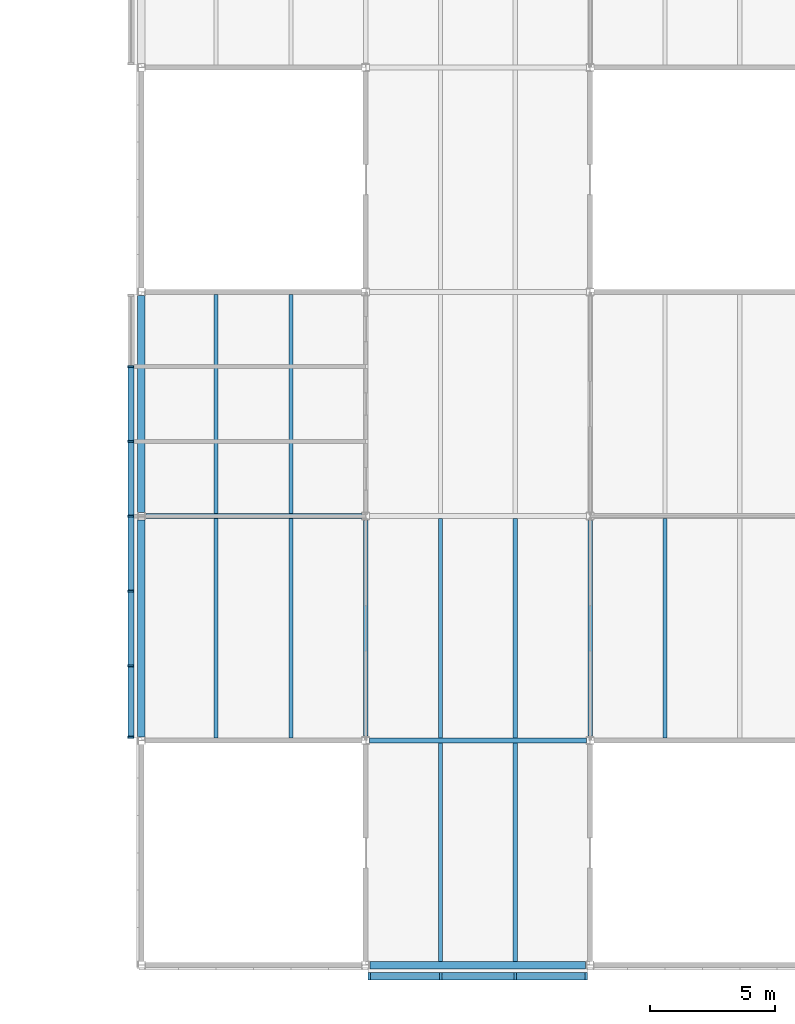
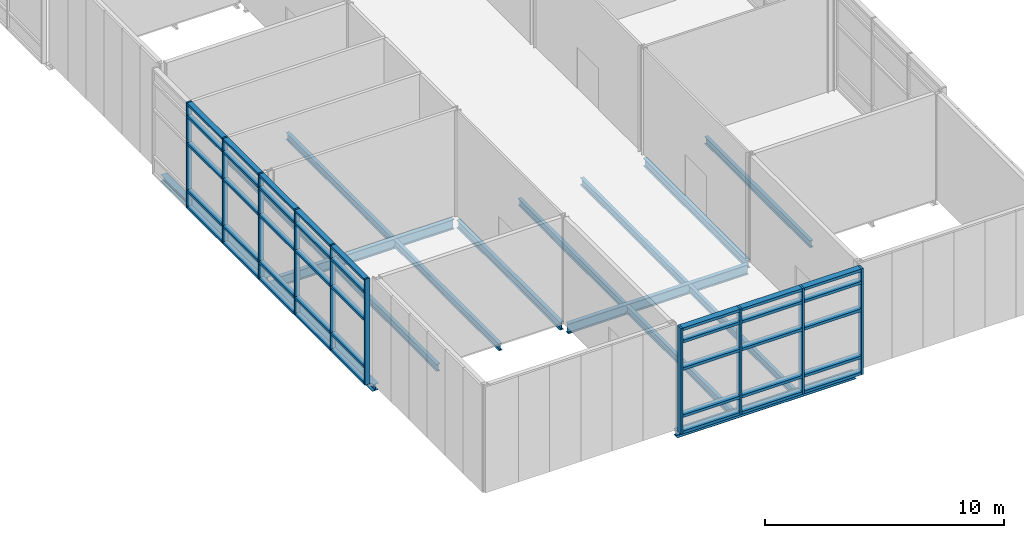
# One storey, part 9 of 46: 50 members, 16 beams, 2 elements without a shape of their own.
"""IFC4 building model written with IfcOpenShell, lengths in metres."""

import ifcopenshell
import ifcopenshell.guid

model = None  # the IFC model being written
_history = None  # IfcOwnerHistory: only IFC2X3 demands one
_inside = {}  # id of a spatial element -> (the spatial element, [elements in it])
_under = {}  # id of a project, library or spatial element -> (it, [spatial elements below it])
_declared = {}  # id of a project -> (the project, [libraries it declares])
_typed = {}  # id of a type object -> (the type object, [elements of that type])
_made_of = {}  # id of a material, layer set ... -> (it, [elements and type objects made of it])


def new_model(schema):
    """Start an empty IFC model of exactly this schema.

    Asked for "IFC4X3", IfcOpenShell would pick the latest addendum, in which some entities
    have other attributes; the version numbers below select the first issue.
    IFC2X3 requires an IfcOwnerHistory on every rooted entity: one is made here for all.
    """
    global model, _history
    if schema == "IFC4X3":
        model = ifcopenshell.file(schema_version=(4, 3, 0, 0))
    else:
        model = ifcopenshell.file(schema=schema)
    _inside.clear()
    _under.clear()
    _declared.clear()
    _typed.clear()
    _made_of.clear()
    _history = None
    if model.schema == "IFC2X3":
        org = make("IfcOrganization", Name="unknown")
        user = make(
            "IfcPersonAndOrganization",
            ThePerson=make("IfcPerson", FamilyName="unknown"),
            TheOrganization=org,
        )
        app = make(
            "IfcApplication",
            ApplicationDeveloper=org,
            Version="unknown",
            ApplicationFullName="unknown",
            ApplicationIdentifier="unknown",
        )
        _history = make(
            "IfcOwnerHistory",
            OwningUser=user,
            OwningApplication=app,
            ChangeAction="ADDED",
            CreationDate=0,
        )
    return model


def make(cls, **values):
    """One entity of the class cls with the attributes given. An attribute that is None is left unset."""
    return model.create_entity(
        cls, **{name: value for name, value in values.items() if value is not None}
    )


def rooted(cls, **values):
    """An entity with a GlobalId (a new one), such as an element, a storey or a relation."""
    return make(cls, GlobalId=ifcopenshell.guid.new(), OwnerHistory=_history, **values)


def si_unit(unit_type, name, prefix=None):
    """IfcSIUnit, for example si_unit("LENGTHUNIT", "METRE", prefix="MILLI")."""
    return make("IfcSIUnit", UnitType=unit_type, Prefix=prefix, Name=name)


def assignment(units):
    """IfcUnitAssignment: the units of a project."""
    return None if units is None else make("IfcUnitAssignment", Units=units)


def point(xyz):
    """IfcCartesianPoint."""
    return None if xyz is None else make("IfcCartesianPoint", Coordinates=xyz)


def direction(xyz):
    """IfcDirection."""
    return None if xyz is None else make("IfcDirection", DirectionRatios=xyz)


def frame(location, z_axis=None, x_axis=None):
    """IfcAxis2Placement3D, a coordinate frame: its origin and axes. An axis left out is left unset."""
    return make(
        "IfcAxis2Placement3D",
        Location=point(location),
        Axis=direction(z_axis),
        RefDirection=direction(x_axis),
    )


def frame_2d(location, x_axis=None):
    """IfcAxis2Placement2D, a coordinate frame in the plane: its origin and x axis."""
    return make(
        "IfcAxis2Placement2D", Location=point(location), RefDirection=direction(x_axis)
    )


def origin():
    """The frame at (0, 0, 0) with its axes left unset."""
    return frame((0.0, 0.0, 0.0))


def origin_2d():
    """The frame at (0, 0) in the plane with its x axis left unset."""
    return frame_2d((0.0, 0.0))


def place(relative_to, where):
    """IfcLocalPlacement: puts the frame where relative to a parent placement (None: the world)."""
    return make(
        "IfcLocalPlacement", PlacementRelTo=relative_to, RelativePlacement=where
    )


def context(
    kind, dimensions, precision=None, world=None, true_north=None, identifier=None
):
    """IfcGeometricRepresentationContext, for example the 3D "Model" context."""
    return make(
        "IfcGeometricRepresentationContext",
        ContextIdentifier=identifier,
        ContextType=kind,
        CoordinateSpaceDimension=dimensions,
        Precision=precision,
        WorldCoordinateSystem=world,
        TrueNorth=true_north,
    )


def subcontext(parent, identifier, kind, view, scale=None):
    """IfcGeometricRepresentationSubContext, for example "Body" below "Model"."""
    return make(
        "IfcGeometricRepresentationSubContext",
        ContextIdentifier=identifier,
        ContextType=kind,
        ParentContext=parent,
        TargetScale=scale,
        TargetView=view,
    )


def project(units=None, contexts=None):
    """IfcProject with its units and contexts."""
    return rooted(
        "IfcProject",
        Name="project",
        RepresentationContexts=contexts,
        UnitsInContext=assignment(units),
    )


def spatial(cls, under=None, at=None, **own):
    """A site, building, storey or space (cls), placed at a placement, below another one or the project."""
    s = rooted(cls, ObjectPlacement=at, **own)
    if under is not None:
        _under.setdefault(under.id(), (under, []))[1].append(s)
    return s


def profile(cls, at=None, kind="AREA", **sizes):
    """A parametric profile (cls). Its sizes go by their IFC names, for example OverallWidth=200.0."""
    return make(cls, ProfileType=kind, Position=at, **sizes)


def rectangle(**sizes):
    """IfcRectangleProfileDef."""
    return profile("IfcRectangleProfileDef", **sizes)


def i_section(**sizes):
    """IfcIShapeProfileDef."""
    return profile("IfcIShapeProfileDef", **sizes)


def extrude(swept, where, along, depth):
    """IfcExtrudedAreaSolid: the profile swept, set in the frame where, extruded along a direction by depth."""
    return make(
        "IfcExtrudedAreaSolid",
        SweptArea=swept,
        Position=where,
        ExtrudedDirection=direction(along),
        Depth=depth,
    )


def shape(context_of_items, identifier, shape_type, items):
    """IfcShapeRepresentation: the items that make up one representation, for example the "Body"."""
    return make(
        "IfcShapeRepresentation",
        ContextOfItems=context_of_items,
        RepresentationIdentifier=identifier,
        RepresentationType=shape_type,
        Items=items,
    )


def material(Name=None, Category=None):
    """IfcMaterial."""
    return make("IfcMaterial", Name=Name, Category=Category)


def material_profile(
    of_material, cross_section, Name=None, Category=None, Priority=None
):
    """IfcMaterialProfile: a cross section and its material."""
    return make(
        "IfcMaterialProfile",
        Name=Name,
        Material=of_material,
        Profile=cross_section,
        Priority=Priority,
        Category=Category,
    )


def profile_set(profiles, Name=None, composite=None):
    """IfcMaterialProfileSet."""
    return make(
        "IfcMaterialProfileSet",
        Name=Name,
        MaterialProfiles=profiles,
        CompositeProfile=composite,
    )


def made_of(thing, what):
    """Note that an element or type object is made of a material, layer set ...; save() writes the relation."""
    if what is not None:
        _made_of.setdefault(what.id(), (what, []))[1].append(thing)
    return thing


def type_object(cls, material=None, **own):
    """A type object (cls), such as IfcWallType, which elements share."""
    return made_of(rooted(cls, **own), material)


def element(
    cls,
    number,
    at=None,
    inside=None,
    cuts=None,
    type_object=None,
    material=None,
    context=None,
    identifier="Body",
    shape_type=None,
    held_by="IfcProductDefinitionShape",
    body=None,
    shapes=None,
    **own,
):
    """One element of the class cls, such as IfcWall. Its Tag is "e" and its number.

    at: its placement. inside: the storey or other place that contains it. cuts: it is an
    opening in that element (IfcRelVoidsElement). A single representation is given by context,
    identifier, shape_type and body (its items); several are given by shapes. held_by: the class
    of the entity that holds the representations. save() writes the other relations.
    """
    e = rooted(cls, Tag="e%d" % number, ObjectPlacement=at, **own)
    if body is not None:
        shapes = [shape(context, identifier, shape_type, body)]
    if shapes is not None:
        e.Representation = make(held_by, Representations=shapes)
    if inside is not None:
        _inside.setdefault(inside.id(), (inside, []))[1].append(e)
    if cuts is not None:
        rooted(
            "IfcRelVoidsElement", RelatingBuildingElement=cuts, RelatedOpeningElement=e
        )
    if type_object is not None:
        _typed.setdefault(type_object.id(), (type_object, []))[1].append(e)
    return made_of(e, material)


def aggregate(whole, parts):
    """IfcRelAggregates: a whole, such as a stair, and the parts it consists of."""
    return rooted("IfcRelAggregates", RelatingObject=whole, RelatedObjects=parts)


def save(model, path):
    """Write the relations noted so far, then the file.

    IfcRelAggregates (storeys below a building ...), IfcRelContainedInSpatialStructure (elements
    in a storey), IfcRelDefinesByType, IfcRelAssociatesMaterial and IfcRelDeclares: one each for
    every whole, place, type object, material and project.
    """
    for whole, parts in _under.values():
        aggregate(whole, parts)
    for where, things in _inside.values():
        rooted(
            "IfcRelContainedInSpatialStructure",
            RelatedElements=things,
            RelatingStructure=where,
        )
    for kind, things in _typed.values():
        rooted("IfcRelDefinesByType", RelatedObjects=things, RelatingType=kind)
    for what, things in _made_of.values():
        rooted("IfcRelAssociatesMaterial", RelatedObjects=things, RelatingMaterial=what)
    for by, libraries in _declared.values():
        rooted("IfcRelDeclares", RelatingContext=by, RelatedDefinitions=libraries)
    model.write(path)


model = new_model("IFC4")

# Units and contexts
model_context = context("Model", 3, precision=1e-05, world=origin(), true_north=direction((0.0, 1.0)))
body_context = subcontext(model_context, "Body", "Model", "MODEL_VIEW")
ifc_project = project(units=[si_unit("LENGTHUNIT", "METRE"), si_unit("AREAUNIT", "SQUARE_METRE"), si_unit("VOLUMEUNIT", "CUBIC_METRE"), si_unit("PLANEANGLEUNIT", "RADIAN"), si_unit("MASSUNIT", "GRAM", prefix="KILO")], contexts=[model_context])

# Site, building, storey
site_placement = place(None, origin())
site = spatial("IfcSite", under=ifc_project, at=site_placement, CompositionType="ELEMENT")
building_placement = place(site_placement, origin())
building = spatial("IfcBuilding", under=site, at=building_placement, Name="Azimuth Sports and Learning Centre", CompositionType="ELEMENT")
storey_placement = place(building_placement, frame((0.0, 0.0, 21.60009765625)))
storey = spatial("IfcBuildingStorey", under=building, at=storey_placement, Name="L04", CompositionType="ELEMENT", Elevation=21.60009765625)

# Beams
ifc_material_1 = material(Name="Steel S355", Category="steel")
ifc_material_profile_1 = material_profile(ifc_material_1, i_section(OverallWidth=0.179931640625, OverallDepth=0.39990234375, WebThickness=0.008544921875, FlangeThickness=0.013427734375, FilletRadius=0.02099609375, at=origin_2d()), Name="IPE 400")
ifc_profile_set_1 = profile_set([ifc_material_profile_1], Name="Steel S355")
beam_type_1 = type_object("IfcBeamType", Name="Beam IPE 400", PredefinedType="BEAM", material=ifc_profile_set_1)
for number, where, z_axis, x_axis, name in (
    (1, (81.0, 9.179931640625, -0.35009765625), (0.0, 1.0, 0.0), (-1.0, 0.0, 0.0), "Beam L04 ST 29"),
    (2, (90.0, 9.179931640625, -0.35009765625), (0.0, 1.0, 0.0), (-1.0, 0.0, 0.0), "Beam L04 ST 35"),
):
    element("IfcBeam", number, at=place(storey_placement, frame(where, z_axis=z_axis, x_axis=x_axis)), inside=storey, type_object=beam_type_1, Name=name, PredefinedType="BEAM", context=body_context, shape_type="SweptSolid", body=[
        extrude(i_section(OverallWidth=0.179931640625, OverallDepth=0.39990234375, WebThickness=0.008544921875, FlangeThickness=0.013427734375, FilletRadius=0.02099609375, at=origin_2d()), origin(), (0.0, 0.0, 1.0), 8.64013671875),
    ])
ifc_material_2 = material(Name="Steel S355", Category="steel")
ifc_material_profile_2 = material_profile(ifc_material_2, i_section(OverallWidth=0.199951171875, OverallDepth=0.5, WebThickness=0.01025390625, FlangeThickness=0.01611328125, FilletRadius=0.02099609375, at=origin_2d()), Name="IPE 500")
ifc_profile_set_2 = profile_set([ifc_material_profile_2], Name="Steel S355")
beam_type_2 = type_object("IfcBeamType", Name="Beam IPE 500", PredefinedType="BEAM", material=ifc_profile_set_2)
beam_1_placement = place(storey_placement, frame((81.14990234375, 9.0, -0.400146484375), z_axis=(1.0, 0.0, 0.0), x_axis=(0.0, 1.0, 0.0)))
element("IfcBeam", 3, at=beam_1_placement, inside=storey, type_object=beam_type_2, Name="Beam L04 ST 2", PredefinedType="BEAM", context=body_context, shape_type="SweptSolid", body=[
    extrude(i_section(OverallWidth=0.199951171875, OverallDepth=0.5, WebThickness=0.01025390625, FlangeThickness=0.01611328125, FilletRadius=0.02099609375, at=origin_2d()), origin(), (0.0, 0.0, 1.0), 8.7001953125),
])
beam_2_placement = place(storey_placement, frame((72.179931640625, 18.0, -0.400146484375), z_axis=(1.0, 0.0, 0.0), x_axis=(0.0, 1.0, 0.0)))
element("IfcBeam", 4, at=beam_2_placement, inside=storey, type_object=beam_type_2, Name="Beam L04 ST 3", PredefinedType="BEAM", context=body_context, shape_type="SweptSolid", body=[
    extrude(i_section(OverallWidth=0.199951171875, OverallDepth=0.5, WebThickness=0.01025390625, FlangeThickness=0.01611328125, FilletRadius=0.02099609375, at=origin_2d()), origin(), (0.0, 0.0, 1.0), 8.670166015625),
])
ifc_material_3 = material(Name="Steel S355", Category="steel")
ifc_material_profile_3 = material_profile(ifc_material_3, i_section(OverallWidth=0.300048828125, OverallDepth=0.330078125, WebThickness=0.009521484375, FlangeThickness=0.0166015625, FilletRadius=0.027099609375, at=origin_2d()), Name="HEA 340")
ifc_profile_set_3 = profile_set([ifc_material_profile_3], Name="Steel S355")
beam_type_3 = type_object("IfcBeamType", Name="Edge beam HEA 340", PredefinedType="SPANDREL", material=ifc_profile_set_3)
beam_3_placement = place(storey_placement, frame((81.179931640625, 0.0, -0.315185546875), z_axis=(1.0, 0.0, 0.0), x_axis=(0.0, 1.0, 0.0)))
element("IfcBeam", 5, at=beam_3_placement, inside=storey, type_object=beam_type_3, Name="Edge beam L04 ST 1", PredefinedType="SPANDREL", context=body_context, shape_type="SweptSolid", body=[
    extrude(i_section(OverallWidth=0.300048828125, OverallDepth=0.330078125, WebThickness=0.009521484375, FlangeThickness=0.0166015625, FilletRadius=0.027099609375, at=origin_2d()), origin(), (0.0, 0.0, 1.0), 8.64013671875),
])
for number, where, z_axis, x_axis, name in (
    (6, (72.0, 9.14990234375, -0.315185546875), (0.0, 1.0, 0.0), (-1.0, 0.0, 0.0), "Edge beam L04 ST 21"),
    (7, (72.0, 18.14990234375, -0.315185546875), (0.0, 1.0, 0.0), (-1.0, 0.0, 0.0), "Edge beam L04 ST 22"),
):
    element("IfcBeam", number, at=place(storey_placement, frame(where, z_axis=z_axis, x_axis=x_axis)), inside=storey, type_object=beam_type_3, Name=name, PredefinedType="SPANDREL", context=body_context, shape_type="SweptSolid", body=[
        extrude(i_section(OverallWidth=0.300048828125, OverallDepth=0.330078125, WebThickness=0.009521484375, FlangeThickness=0.0166015625, FilletRadius=0.027099609375, at=origin_2d()), origin(), (0.0, 0.0, 1.0), 8.7001953125),
    ])
ifc_material_4 = material(Name="Steel S355", Category="steel")
ifc_material_profile_4 = material_profile(ifc_material_4, i_section(OverallWidth=0.169921875, OverallDepth=0.360107421875, WebThickness=0.008056640625, FlangeThickness=0.0126953125, FilletRadius=0.01806640625, at=origin_2d()), Name="IPE 360")
ifc_profile_set_4 = profile_set([ifc_material_profile_4], Name="Steel S355")
beam_type_4 = type_object("IfcBeamType", Name="Joist IPE 360", PredefinedType="JOIST", material=ifc_profile_set_4)
for number, where, z_axis, x_axis, name in (
    (8, (75.0, 9.10009765625, -0.330078125), (0.0, 1.0, 0.0), (-1.0, 0.0, 0.0), "Joist L04 ST 48"),
    (9, (75.0, 18.10009765625, -0.330078125), (0.0, 1.0, 0.0), (-1.0, 0.0, 0.0), "Joist L04 ST 49"),
    (10, (78.0, 9.10009765625, -0.330078125), (0.0, 1.0, 0.0), (-1.0, 0.0, 0.0), "Joist L04 ST 56"),
    (11, (78.0, 18.10009765625, -0.330078125), (0.0, 1.0, 0.0), (-1.0, 0.0, 0.0), "Joist L04 ST 57"),
):
    element("IfcBeam", number, at=place(storey_placement, frame(where, z_axis=z_axis, x_axis=x_axis)), inside=storey, type_object=beam_type_4, Name=name, PredefinedType="JOIST", context=body_context, shape_type="SweptSolid", body=[
        extrude(i_section(OverallWidth=0.169921875, OverallDepth=0.360107421875, WebThickness=0.008056640625, FlangeThickness=0.0126953125, FilletRadius=0.01806640625, at=origin_2d()), origin(), (0.0, 0.0, 1.0), 8.7998046875),
    ])
beam_4_placement = place(storey_placement, frame((84.0, 0.14990234375, -0.330078125), z_axis=(0.0, 1.0, 0.0), x_axis=(-1.0, 0.0, 0.0)))
element("IfcBeam", 12, at=beam_4_placement, inside=storey, type_object=beam_type_4, Name="Joist L04 ST 64", PredefinedType="JOIST", context=body_context, shape_type="SweptSolid", body=[
    extrude(i_section(OverallWidth=0.169921875, OverallDepth=0.360107421875, WebThickness=0.008056640625, FlangeThickness=0.0126953125, FilletRadius=0.01806640625, at=origin_2d()), origin(), (0.0, 0.0, 1.0), 8.75),
])
beam_5_placement = place(storey_placement, frame((84.0, 9.10009765625, -0.330078125), z_axis=(0.0, 1.0, 0.0), x_axis=(-1.0, 0.0, 0.0)))
element("IfcBeam", 13, at=beam_5_placement, inside=storey, type_object=beam_type_4, Name="Joist L04 ST 65", PredefinedType="JOIST", context=body_context, shape_type="SweptSolid", body=[
    extrude(i_section(OverallWidth=0.169921875, OverallDepth=0.360107421875, WebThickness=0.008056640625, FlangeThickness=0.0126953125, FilletRadius=0.01806640625, at=origin_2d()), origin(), (0.0, 0.0, 1.0), 8.7998046875),
])
beam_6_placement = place(storey_placement, frame((87.0, 0.14990234375, -0.330078125), z_axis=(0.0, 1.0, 0.0), x_axis=(-1.0, 0.0, 0.0)))
element("IfcBeam", 14, at=beam_6_placement, inside=storey, type_object=beam_type_4, Name="Joist L04 ST 70", PredefinedType="JOIST", context=body_context, shape_type="SweptSolid", body=[
    extrude(i_section(OverallWidth=0.169921875, OverallDepth=0.360107421875, WebThickness=0.008056640625, FlangeThickness=0.0126953125, FilletRadius=0.01806640625, at=origin_2d()), origin(), (0.0, 0.0, 1.0), 8.75),
])
for number, where, z_axis, x_axis, name in (
    (15, (87.0, 9.10009765625, -0.330078125), (0.0, 1.0, 0.0), (-1.0, 0.0, 0.0), "Joist L04 ST 71"),
    (16, (93.0, 9.10009765625, -0.330078125), (0.0, 1.0, 0.0), (-1.0, 0.0, 0.0), "Joist L04 ST 76"),
):
    element("IfcBeam", number, at=place(storey_placement, frame(where, z_axis=z_axis, x_axis=x_axis)), inside=storey, type_object=beam_type_4, Name=name, PredefinedType="JOIST", context=body_context, shape_type="SweptSolid", body=[
        extrude(i_section(OverallWidth=0.169921875, OverallDepth=0.360107421875, WebThickness=0.008056640625, FlangeThickness=0.0126953125, FilletRadius=0.01806640625, at=origin_2d()), origin(), (0.0, 0.0, 1.0), 8.7998046875),
    ])

# Curtain wall, members
ifc_material_5 = material(Name="Aluminium and glass", Category="aluminium")
curtain_wall_type_1 = type_object("IfcCurtainWallType", Name="Curtain wall podium front 300", PredefinedType="NOTDEFINED", material=ifc_material_5)
curtain_wall_1_placement = place(storey_placement, origin())
curtain_wall_1 = element("IfcCurtainWall", 17, at=curtain_wall_1_placement, inside=storey, type_object=curtain_wall_type_1, Name="Curtain wall CW04-005", PredefinedType="NOTDEFINED")
ifc_material_6 = material(Name="Aluminium", Category="aluminium")
ifc_material_profile_5 = material_profile(ifc_material_6, rectangle(XDim=0.300048828125, YDim=0.10009765625, at=origin_2d()), Name="Mullion 100x300")
ifc_profile_set_5 = profile_set([ifc_material_profile_5], Name="Aluminium")
member_type_1 = type_object("IfcMemberType", Name="Mullion 100x300", PredefinedType="MULLION", material=ifc_profile_set_5)
member_1_placement = place(storey_placement, frame((81.14990234375, -0.449951171875, 0.0), z_axis=(0.0, 0.0, 1.0), x_axis=(0.0, 1.0, 0.0)))
member_1 = element("IfcMember", 18, at=member_1_placement, type_object=member_type_1, Name="CW04-005 mullion 1", PredefinedType="MULLION", context=body_context, shape_type="SweptSolid", body=[
    extrude(rectangle(XDim=0.300048828125, YDim=0.10009765625, at=origin_2d()), origin(), (0.0, 0.0, 1.0), 5.39990234375),
])
member_2_placement = place(storey_placement, frame((84.0, -0.449951171875, 0.0), z_axis=(0.0, 0.0, 1.0), x_axis=(0.0, 1.0, 0.0)))
member_2 = element("IfcMember", 19, at=member_2_placement, type_object=member_type_1, Name="CW04-005 mullion 2", PredefinedType="MULLION", context=body_context, shape_type="SweptSolid", body=[
    extrude(rectangle(XDim=0.300048828125, YDim=0.10009765625, at=origin_2d()), origin(), (0.0, 0.0, 1.0), 5.39990234375),
])
member_3_placement = place(storey_placement, frame((87.0, -0.449951171875, 0.0), z_axis=(0.0, 0.0, 1.0), x_axis=(0.0, 1.0, 0.0)))
member_3 = element("IfcMember", 20, at=member_3_placement, type_object=member_type_1, Name="CW04-005 mullion 3", PredefinedType="MULLION", context=body_context, shape_type="SweptSolid", body=[
    extrude(rectangle(XDim=0.300048828125, YDim=0.10009765625, at=origin_2d()), origin(), (0.0, 0.0, 1.0), 5.39990234375),
])
member_4_placement = place(storey_placement, frame((89.85009765625, -0.449951171875, 0.0), z_axis=(0.0, 0.0, 1.0), x_axis=(0.0, 1.0, 0.0)))
member_4 = element("IfcMember", 21, at=member_4_placement, type_object=member_type_1, Name="CW04-005 mullion 4", PredefinedType="MULLION", context=body_context, shape_type="SweptSolid", body=[
    extrude(rectangle(XDim=0.300048828125, YDim=0.10009765625, at=origin_2d()), origin(), (0.0, 0.0, 1.0), 5.39990234375),
])

ifc_material_7 = material(Name="Aluminium and glass", Category="aluminium")
curtain_wall_type_2 = type_object("IfcCurtainWallType", Name="Curtain wall podium stem 240", PredefinedType="NOTDEFINED", material=ifc_material_7)
curtain_wall_2_placement = place(storey_placement, origin())
curtain_wall_2 = element("IfcCurtainWall", 22, at=curtain_wall_2_placement, inside=storey, type_object=curtain_wall_type_2, Name="Curtain wall CW04-004", PredefinedType="NOTDEFINED")
ifc_material_8 = material(Name="Aluminium", Category="aluminium")
ifc_material_profile_6 = material_profile(ifc_material_8, rectangle(XDim=0.239990234375, YDim=0.080078125, at=origin_2d()), Name="Mullion 80x240")
ifc_profile_set_6 = profile_set([ifc_material_profile_6], Name="Aluminium")
member_type_2 = type_object("IfcMemberType", Name="Mullion 80x240", PredefinedType="MULLION", material=ifc_profile_set_6)
member_5_placement = place(storey_placement, frame((71.580078125, 24.0, 0.0), z_axis=(0.0, 0.0, 1.0), x_axis=(1.0, 0.0, 0.0)))
member_5 = element("IfcMember", 23, at=member_5_placement, type_object=member_type_2, Name="CW04-004 mullion 2", PredefinedType="MULLION", context=body_context, shape_type="SweptSolid", body=[
    extrude(rectangle(XDim=0.239990234375, YDim=0.080078125, at=origin_2d()), origin(), (0.0, 0.0, 1.0), 5.39990234375),
])
member_6_placement = place(storey_placement, frame((71.580078125, 21.0, 0.0), z_axis=(0.0, 0.0, 1.0), x_axis=(1.0, 0.0, 0.0)))
member_6 = element("IfcMember", 24, at=member_6_placement, type_object=member_type_2, Name="CW04-004 mullion 3", PredefinedType="MULLION", context=body_context, shape_type="SweptSolid", body=[
    extrude(rectangle(XDim=0.239990234375, YDim=0.080078125, at=origin_2d()), origin(), (0.0, 0.0, 1.0), 5.39990234375),
])
member_7_placement = place(storey_placement, frame((71.580078125, 18.0, 0.0), z_axis=(0.0, 0.0, 1.0), x_axis=(1.0, 0.0, 0.0)))
member_7 = element("IfcMember", 25, at=member_7_placement, type_object=member_type_2, Name="CW04-004 mullion 4", PredefinedType="MULLION", context=body_context, shape_type="SweptSolid", body=[
    extrude(rectangle(XDim=0.239990234375, YDim=0.080078125, at=origin_2d()), origin(), (0.0, 0.0, 1.0), 5.39990234375),
])
member_8_placement = place(storey_placement, frame((71.580078125, 15.0, 0.0), z_axis=(0.0, 0.0, 1.0), x_axis=(1.0, 0.0, 0.0)))
member_8 = element("IfcMember", 26, at=member_8_placement, type_object=member_type_2, Name="CW04-004 mullion 5", PredefinedType="MULLION", context=body_context, shape_type="SweptSolid", body=[
    extrude(rectangle(XDim=0.239990234375, YDim=0.080078125, at=origin_2d()), origin(), (0.0, 0.0, 1.0), 5.39990234375),
])
member_9_placement = place(storey_placement, frame((71.580078125, 12.0, 0.0), z_axis=(0.0, 0.0, 1.0), x_axis=(1.0, 0.0, 0.0)))
member_9 = element("IfcMember", 27, at=member_9_placement, type_object=member_type_2, Name="CW04-004 mullion 6", PredefinedType="MULLION", context=body_context, shape_type="SweptSolid", body=[
    extrude(rectangle(XDim=0.239990234375, YDim=0.080078125, at=origin_2d()), origin(), (0.0, 0.0, 1.0), 5.39990234375),
])
member_10_placement = place(storey_placement, frame((71.580078125, 9.139892578125, 0.0), z_axis=(0.0, 0.0, 1.0), x_axis=(1.0, 0.0, 0.0)))
member_10 = element("IfcMember", 28, at=member_10_placement, type_object=member_type_2, Name="CW04-004 mullion 7", PredefinedType="MULLION", context=body_context, shape_type="SweptSolid", body=[
    extrude(rectangle(XDim=0.239990234375, YDim=0.080078125, at=origin_2d()), origin(), (0.0, 0.0, 1.0), 5.39990234375),
])
ifc_material_9 = material(Name="Aluminium", Category="aluminium")
ifc_material_profile_7 = material_profile(ifc_material_9, rectangle(XDim=0.239990234375, YDim=0.1201171875, at=origin_2d()), Name="Transom 120x240")
ifc_profile_set_7 = profile_set([ifc_material_profile_7], Name="Aluminium")
member_type_3 = type_object("IfcMemberType", Name="Transom 120x240", PredefinedType="USERDEFINED", material=ifc_profile_set_7)
member_11_placement = place(storey_placement, frame((71.580078125, 23.9599609375, 0.059814453125), z_axis=(0.0, -1.0, 0.0), x_axis=(1.0, 0.0, 0.0)))
member_11 = element("IfcMember", 29, at=member_11_placement, type_object=member_type_3, Name="CW04-004 transom 2.1", ObjectType="TRANSOM", PredefinedType="USERDEFINED", context=body_context, shape_type="SweptSolid", body=[
    extrude(rectangle(XDim=0.239990234375, YDim=0.1201171875, at=origin_2d()), origin(), (0.0, 0.0, 1.0), 2.919921875),
])
member_12_placement = place(storey_placement, frame((71.580078125, 23.9599609375, 0.89990234375), z_axis=(0.0, -1.0, 0.0), x_axis=(1.0, 0.0, 0.0)))
member_12 = element("IfcMember", 30, at=member_12_placement, type_object=member_type_3, Name="CW04-004 transom 2.2", ObjectType="TRANSOM", PredefinedType="USERDEFINED", context=body_context, shape_type="SweptSolid", body=[
    extrude(rectangle(XDim=0.239990234375, YDim=0.1201171875, at=origin_2d()), origin(), (0.0, 0.0, 1.0), 2.919921875),
])
member_13_placement = place(storey_placement, frame((71.580078125, 23.9599609375, 3.2998046875), z_axis=(0.0, -1.0, 0.0), x_axis=(1.0, 0.0, 0.0)))
member_13 = element("IfcMember", 31, at=member_13_placement, type_object=member_type_3, Name="CW04-004 transom 2.3", ObjectType="TRANSOM", PredefinedType="USERDEFINED", context=body_context, shape_type="SweptSolid", body=[
    extrude(rectangle(XDim=0.239990234375, YDim=0.1201171875, at=origin_2d()), origin(), (0.0, 0.0, 1.0), 2.919921875),
])
member_14_placement = place(storey_placement, frame((71.580078125, 23.9599609375, 4.699951171875), z_axis=(0.0, -1.0, 0.0), x_axis=(1.0, 0.0, 0.0)))
member_14 = element("IfcMember", 32, at=member_14_placement, type_object=member_type_3, Name="CW04-004 transom 2.4", ObjectType="TRANSOM", PredefinedType="USERDEFINED", context=body_context, shape_type="SweptSolid", body=[
    extrude(rectangle(XDim=0.239990234375, YDim=0.1201171875, at=origin_2d()), origin(), (0.0, 0.0, 1.0), 2.919921875),
])
member_15_placement = place(storey_placement, frame((71.580078125, 23.9599609375, 5.33984375), z_axis=(0.0, -1.0, 0.0), x_axis=(1.0, 0.0, 0.0)))
member_15 = element("IfcMember", 33, at=member_15_placement, type_object=member_type_3, Name="CW04-004 transom 2.5", ObjectType="TRANSOM", PredefinedType="USERDEFINED", context=body_context, shape_type="SweptSolid", body=[
    extrude(rectangle(XDim=0.239990234375, YDim=0.1201171875, at=origin_2d()), origin(), (0.0, 0.0, 1.0), 2.919921875),
])
member_16_placement = place(storey_placement, frame((71.580078125, 20.9599609375, 0.059814453125), z_axis=(0.0, -1.0, 0.0), x_axis=(1.0, 0.0, 0.0)))
member_16 = element("IfcMember", 34, at=member_16_placement, type_object=member_type_3, Name="CW04-004 transom 3.1", ObjectType="TRANSOM", PredefinedType="USERDEFINED", context=body_context, shape_type="SweptSolid", body=[
    extrude(rectangle(XDim=0.239990234375, YDim=0.1201171875, at=origin_2d()), origin(), (0.0, 0.0, 1.0), 2.919921875),
])
member_17_placement = place(storey_placement, frame((71.580078125, 20.9599609375, 0.89990234375), z_axis=(0.0, -1.0, 0.0), x_axis=(1.0, 0.0, 0.0)))
member_17 = element("IfcMember", 35, at=member_17_placement, type_object=member_type_3, Name="CW04-004 transom 3.2", ObjectType="TRANSOM", PredefinedType="USERDEFINED", context=body_context, shape_type="SweptSolid", body=[
    extrude(rectangle(XDim=0.239990234375, YDim=0.1201171875, at=origin_2d()), origin(), (0.0, 0.0, 1.0), 2.919921875),
])
member_18_placement = place(storey_placement, frame((71.580078125, 20.9599609375, 3.2998046875), z_axis=(0.0, -1.0, 0.0), x_axis=(1.0, 0.0, 0.0)))
member_18 = element("IfcMember", 36, at=member_18_placement, type_object=member_type_3, Name="CW04-004 transom 3.3", ObjectType="TRANSOM", PredefinedType="USERDEFINED", context=body_context, shape_type="SweptSolid", body=[
    extrude(rectangle(XDim=0.239990234375, YDim=0.1201171875, at=origin_2d()), origin(), (0.0, 0.0, 1.0), 2.919921875),
])
member_19_placement = place(storey_placement, frame((71.580078125, 20.9599609375, 4.699951171875), z_axis=(0.0, -1.0, 0.0), x_axis=(1.0, 0.0, 0.0)))
member_19 = element("IfcMember", 37, at=member_19_placement, type_object=member_type_3, Name="CW04-004 transom 3.4", ObjectType="TRANSOM", PredefinedType="USERDEFINED", context=body_context, shape_type="SweptSolid", body=[
    extrude(rectangle(XDim=0.239990234375, YDim=0.1201171875, at=origin_2d()), origin(), (0.0, 0.0, 1.0), 2.919921875),
])
member_20_placement = place(storey_placement, frame((71.580078125, 20.9599609375, 5.33984375), z_axis=(0.0, -1.0, 0.0), x_axis=(1.0, 0.0, 0.0)))
member_20 = element("IfcMember", 38, at=member_20_placement, type_object=member_type_3, Name="CW04-004 transom 3.5", ObjectType="TRANSOM", PredefinedType="USERDEFINED", context=body_context, shape_type="SweptSolid", body=[
    extrude(rectangle(XDim=0.239990234375, YDim=0.1201171875, at=origin_2d()), origin(), (0.0, 0.0, 1.0), 2.919921875),
])
member_21_placement = place(storey_placement, frame((71.580078125, 17.9599609375, 0.059814453125), z_axis=(0.0, -1.0, 0.0), x_axis=(1.0, 0.0, 0.0)))
member_21 = element("IfcMember", 39, at=member_21_placement, type_object=member_type_3, Name="CW04-004 transom 4.1", ObjectType="TRANSOM", PredefinedType="USERDEFINED", context=body_context, shape_type="SweptSolid", body=[
    extrude(rectangle(XDim=0.239990234375, YDim=0.1201171875, at=origin_2d()), origin(), (0.0, 0.0, 1.0), 2.919921875),
])
member_22_placement = place(storey_placement, frame((71.580078125, 17.9599609375, 0.89990234375), z_axis=(0.0, -1.0, 0.0), x_axis=(1.0, 0.0, 0.0)))
member_22 = element("IfcMember", 40, at=member_22_placement, type_object=member_type_3, Name="CW04-004 transom 4.2", ObjectType="TRANSOM", PredefinedType="USERDEFINED", context=body_context, shape_type="SweptSolid", body=[
    extrude(rectangle(XDim=0.239990234375, YDim=0.1201171875, at=origin_2d()), origin(), (0.0, 0.0, 1.0), 2.919921875),
])
member_23_placement = place(storey_placement, frame((71.580078125, 17.9599609375, 3.2998046875), z_axis=(0.0, -1.0, 0.0), x_axis=(1.0, 0.0, 0.0)))
member_23 = element("IfcMember", 41, at=member_23_placement, type_object=member_type_3, Name="CW04-004 transom 4.3", ObjectType="TRANSOM", PredefinedType="USERDEFINED", context=body_context, shape_type="SweptSolid", body=[
    extrude(rectangle(XDim=0.239990234375, YDim=0.1201171875, at=origin_2d()), origin(), (0.0, 0.0, 1.0), 2.919921875),
])
member_24_placement = place(storey_placement, frame((71.580078125, 17.9599609375, 4.699951171875), z_axis=(0.0, -1.0, 0.0), x_axis=(1.0, 0.0, 0.0)))
member_24 = element("IfcMember", 42, at=member_24_placement, type_object=member_type_3, Name="CW04-004 transom 4.4", ObjectType="TRANSOM", PredefinedType="USERDEFINED", context=body_context, shape_type="SweptSolid", body=[
    extrude(rectangle(XDim=0.239990234375, YDim=0.1201171875, at=origin_2d()), origin(), (0.0, 0.0, 1.0), 2.919921875),
])
member_25_placement = place(storey_placement, frame((71.580078125, 17.9599609375, 5.33984375), z_axis=(0.0, -1.0, 0.0), x_axis=(1.0, 0.0, 0.0)))
member_25 = element("IfcMember", 43, at=member_25_placement, type_object=member_type_3, Name="CW04-004 transom 4.5", ObjectType="TRANSOM", PredefinedType="USERDEFINED", context=body_context, shape_type="SweptSolid", body=[
    extrude(rectangle(XDim=0.239990234375, YDim=0.1201171875, at=origin_2d()), origin(), (0.0, 0.0, 1.0), 2.919921875),
])
member_26_placement = place(storey_placement, frame((71.580078125, 14.9599609375, 0.059814453125), z_axis=(0.0, -1.0, 0.0), x_axis=(1.0, 0.0, 0.0)))
member_26 = element("IfcMember", 44, at=member_26_placement, type_object=member_type_3, Name="CW04-004 transom 5.1", ObjectType="TRANSOM", PredefinedType="USERDEFINED", context=body_context, shape_type="SweptSolid", body=[
    extrude(rectangle(XDim=0.239990234375, YDim=0.1201171875, at=origin_2d()), origin(), (0.0, 0.0, 1.0), 2.919921875),
])
member_27_placement = place(storey_placement, frame((71.580078125, 14.9599609375, 0.89990234375), z_axis=(0.0, -1.0, 0.0), x_axis=(1.0, 0.0, 0.0)))
member_27 = element("IfcMember", 45, at=member_27_placement, type_object=member_type_3, Name="CW04-004 transom 5.2", ObjectType="TRANSOM", PredefinedType="USERDEFINED", context=body_context, shape_type="SweptSolid", body=[
    extrude(rectangle(XDim=0.239990234375, YDim=0.1201171875, at=origin_2d()), origin(), (0.0, 0.0, 1.0), 2.919921875),
])
member_28_placement = place(storey_placement, frame((71.580078125, 14.9599609375, 3.2998046875), z_axis=(0.0, -1.0, 0.0), x_axis=(1.0, 0.0, 0.0)))
member_28 = element("IfcMember", 46, at=member_28_placement, type_object=member_type_3, Name="CW04-004 transom 5.3", ObjectType="TRANSOM", PredefinedType="USERDEFINED", context=body_context, shape_type="SweptSolid", body=[
    extrude(rectangle(XDim=0.239990234375, YDim=0.1201171875, at=origin_2d()), origin(), (0.0, 0.0, 1.0), 2.919921875),
])
member_29_placement = place(storey_placement, frame((71.580078125, 14.9599609375, 4.699951171875), z_axis=(0.0, -1.0, 0.0), x_axis=(1.0, 0.0, 0.0)))
member_29 = element("IfcMember", 47, at=member_29_placement, type_object=member_type_3, Name="CW04-004 transom 5.4", ObjectType="TRANSOM", PredefinedType="USERDEFINED", context=body_context, shape_type="SweptSolid", body=[
    extrude(rectangle(XDim=0.239990234375, YDim=0.1201171875, at=origin_2d()), origin(), (0.0, 0.0, 1.0), 2.919921875),
])
member_30_placement = place(storey_placement, frame((71.580078125, 14.9599609375, 5.33984375), z_axis=(0.0, -1.0, 0.0), x_axis=(1.0, 0.0, 0.0)))
member_30 = element("IfcMember", 48, at=member_30_placement, type_object=member_type_3, Name="CW04-004 transom 5.5", ObjectType="TRANSOM", PredefinedType="USERDEFINED", context=body_context, shape_type="SweptSolid", body=[
    extrude(rectangle(XDim=0.239990234375, YDim=0.1201171875, at=origin_2d()), origin(), (0.0, 0.0, 1.0), 2.919921875),
])
member_31_placement = place(storey_placement, frame((71.580078125, 11.9599609375, 0.059814453125), z_axis=(0.0, -1.0, 0.0), x_axis=(1.0, 0.0, 0.0)))
member_31 = element("IfcMember", 49, at=member_31_placement, type_object=member_type_3, Name="CW04-004 transom 6.1", ObjectType="TRANSOM", PredefinedType="USERDEFINED", context=body_context, shape_type="SweptSolid", body=[
    extrude(rectangle(XDim=0.239990234375, YDim=0.1201171875, at=origin_2d()), origin(), (0.0, 0.0, 1.0), 2.780029296875),
])
member_32_placement = place(storey_placement, frame((71.580078125, 11.9599609375, 0.89990234375), z_axis=(0.0, -1.0, 0.0), x_axis=(1.0, 0.0, 0.0)))
member_32 = element("IfcMember", 50, at=member_32_placement, type_object=member_type_3, Name="CW04-004 transom 6.2", ObjectType="TRANSOM", PredefinedType="USERDEFINED", context=body_context, shape_type="SweptSolid", body=[
    extrude(rectangle(XDim=0.239990234375, YDim=0.1201171875, at=origin_2d()), origin(), (0.0, 0.0, 1.0), 2.780029296875),
])
member_33_placement = place(storey_placement, frame((71.580078125, 11.9599609375, 3.2998046875), z_axis=(0.0, -1.0, 0.0), x_axis=(1.0, 0.0, 0.0)))
member_33 = element("IfcMember", 51, at=member_33_placement, type_object=member_type_3, Name="CW04-004 transom 6.3", ObjectType="TRANSOM", PredefinedType="USERDEFINED", context=body_context, shape_type="SweptSolid", body=[
    extrude(rectangle(XDim=0.239990234375, YDim=0.1201171875, at=origin_2d()), origin(), (0.0, 0.0, 1.0), 2.780029296875),
])
member_34_placement = place(storey_placement, frame((71.580078125, 11.9599609375, 4.699951171875), z_axis=(0.0, -1.0, 0.0), x_axis=(1.0, 0.0, 0.0)))
member_34 = element("IfcMember", 52, at=member_34_placement, type_object=member_type_3, Name="CW04-004 transom 6.4", ObjectType="TRANSOM", PredefinedType="USERDEFINED", context=body_context, shape_type="SweptSolid", body=[
    extrude(rectangle(XDim=0.239990234375, YDim=0.1201171875, at=origin_2d()), origin(), (0.0, 0.0, 1.0), 2.780029296875),
])
member_35_placement = place(storey_placement, frame((71.580078125, 11.9599609375, 5.33984375), z_axis=(0.0, -1.0, 0.0), x_axis=(1.0, 0.0, 0.0)))
member_35 = element("IfcMember", 53, at=member_35_placement, type_object=member_type_3, Name="CW04-004 transom 6.5", ObjectType="TRANSOM", PredefinedType="USERDEFINED", context=body_context, shape_type="SweptSolid", body=[
    extrude(rectangle(XDim=0.239990234375, YDim=0.1201171875, at=origin_2d()), origin(), (0.0, 0.0, 1.0), 2.780029296875),
])
aggregate(curtain_wall_2, [member_5, member_6, member_7, member_8, member_9, member_10, member_11, member_12, member_13, member_14, member_15, member_16, member_17, member_18, member_19, member_20, member_21, member_22, member_23, member_24, member_25, member_26, member_27, member_28, member_29, member_30, member_31, member_32, member_33, member_34, member_35])

# Member
ifc_material_10 = material(Name="Aluminium", Category="aluminium")
ifc_material_profile_8 = material_profile(ifc_material_10, rectangle(XDim=0.300048828125, YDim=0.139892578125, at=origin_2d()), Name="Transom 140x300")
ifc_profile_set_8 = profile_set([ifc_material_profile_8], Name="Aluminium")
member_type_4 = type_object("IfcMemberType", Name="Transom 140x300", PredefinedType="USERDEFINED", material=ifc_profile_set_8)
member_36_placement = place(storey_placement, frame((81.199951171875, -0.449951171875, 0.06982421875), z_axis=(1.0, 0.0, 0.0), x_axis=(0.0, 1.0, 0.0)))
member_36 = element("IfcMember", 54, at=member_36_placement, type_object=member_type_4, Name="CW04-005 transom 1.1", ObjectType="TRANSOM", PredefinedType="USERDEFINED", context=body_context, shape_type="SweptSolid", body=[
    extrude(rectangle(XDim=0.300048828125, YDim=0.139892578125, at=origin_2d()), origin(), (0.0, 0.0, 1.0), 2.75),
])

member_37_placement = place(storey_placement, frame((81.199951171875, -0.449951171875, 0.89990234375), z_axis=(1.0, 0.0, 0.0), x_axis=(0.0, 1.0, 0.0)))
member_37 = element("IfcMember", 55, at=member_37_placement, type_object=member_type_4, Name="CW04-005 transom 1.2", ObjectType="TRANSOM", PredefinedType="USERDEFINED", context=body_context, shape_type="SweptSolid", body=[
    extrude(rectangle(XDim=0.300048828125, YDim=0.139892578125, at=origin_2d()), origin(), (0.0, 0.0, 1.0), 2.75),
])

member_38_placement = place(storey_placement, frame((81.199951171875, -0.449951171875, 3.2998046875), z_axis=(1.0, 0.0, 0.0), x_axis=(0.0, 1.0, 0.0)))
member_38 = element("IfcMember", 56, at=member_38_placement, type_object=member_type_4, Name="CW04-005 transom 1.3", ObjectType="TRANSOM", PredefinedType="USERDEFINED", context=body_context, shape_type="SweptSolid", body=[
    extrude(rectangle(XDim=0.300048828125, YDim=0.139892578125, at=origin_2d()), origin(), (0.0, 0.0, 1.0), 2.75),
])

member_39_placement = place(storey_placement, frame((81.199951171875, -0.449951171875, 4.699951171875), z_axis=(1.0, 0.0, 0.0), x_axis=(0.0, 1.0, 0.0)))
member_39 = element("IfcMember", 57, at=member_39_placement, type_object=member_type_4, Name="CW04-005 transom 1.4", ObjectType="TRANSOM", PredefinedType="USERDEFINED", context=body_context, shape_type="SweptSolid", body=[
    extrude(rectangle(XDim=0.300048828125, YDim=0.139892578125, at=origin_2d()), origin(), (0.0, 0.0, 1.0), 2.75),
])

member_40_placement = place(storey_placement, frame((81.199951171875, -0.449951171875, 5.329833984375), z_axis=(1.0, 0.0, 0.0), x_axis=(0.0, 1.0, 0.0)))
member_40 = element("IfcMember", 58, at=member_40_placement, type_object=member_type_4, Name="CW04-005 transom 1.5", ObjectType="TRANSOM", PredefinedType="USERDEFINED", context=body_context, shape_type="SweptSolid", body=[
    extrude(rectangle(XDim=0.300048828125, YDim=0.139892578125, at=origin_2d()), origin(), (0.0, 0.0, 1.0), 2.75),
])

member_41_placement = place(storey_placement, frame((84.050048828125, -0.449951171875, 0.06982421875), z_axis=(1.0, 0.0, 0.0), x_axis=(0.0, 1.0, 0.0)))
member_41 = element("IfcMember", 59, at=member_41_placement, type_object=member_type_4, Name="CW04-005 transom 2.1", ObjectType="TRANSOM", PredefinedType="USERDEFINED", context=body_context, shape_type="SweptSolid", body=[
    extrude(rectangle(XDim=0.300048828125, YDim=0.139892578125, at=origin_2d()), origin(), (0.0, 0.0, 1.0), 2.89990234375),
])

member_42_placement = place(storey_placement, frame((84.050048828125, -0.449951171875, 0.89990234375), z_axis=(1.0, 0.0, 0.0), x_axis=(0.0, 1.0, 0.0)))
member_42 = element("IfcMember", 60, at=member_42_placement, type_object=member_type_4, Name="CW04-005 transom 2.2", ObjectType="TRANSOM", PredefinedType="USERDEFINED", context=body_context, shape_type="SweptSolid", body=[
    extrude(rectangle(XDim=0.300048828125, YDim=0.139892578125, at=origin_2d()), origin(), (0.0, 0.0, 1.0), 2.89990234375),
])

member_43_placement = place(storey_placement, frame((84.050048828125, -0.449951171875, 3.2998046875), z_axis=(1.0, 0.0, 0.0), x_axis=(0.0, 1.0, 0.0)))
member_43 = element("IfcMember", 61, at=member_43_placement, type_object=member_type_4, Name="CW04-005 transom 2.3", ObjectType="TRANSOM", PredefinedType="USERDEFINED", context=body_context, shape_type="SweptSolid", body=[
    extrude(rectangle(XDim=0.300048828125, YDim=0.139892578125, at=origin_2d()), origin(), (0.0, 0.0, 1.0), 2.89990234375),
])

member_44_placement = place(storey_placement, frame((84.050048828125, -0.449951171875, 4.699951171875), z_axis=(1.0, 0.0, 0.0), x_axis=(0.0, 1.0, 0.0)))
member_44 = element("IfcMember", 62, at=member_44_placement, type_object=member_type_4, Name="CW04-005 transom 2.4", ObjectType="TRANSOM", PredefinedType="USERDEFINED", context=body_context, shape_type="SweptSolid", body=[
    extrude(rectangle(XDim=0.300048828125, YDim=0.139892578125, at=origin_2d()), origin(), (0.0, 0.0, 1.0), 2.89990234375),
])

member_45_placement = place(storey_placement, frame((84.050048828125, -0.449951171875, 5.329833984375), z_axis=(1.0, 0.0, 0.0), x_axis=(0.0, 1.0, 0.0)))
member_45 = element("IfcMember", 63, at=member_45_placement, type_object=member_type_4, Name="CW04-005 transom 2.5", ObjectType="TRANSOM", PredefinedType="USERDEFINED", context=body_context, shape_type="SweptSolid", body=[
    extrude(rectangle(XDim=0.300048828125, YDim=0.139892578125, at=origin_2d()), origin(), (0.0, 0.0, 1.0), 2.89990234375),
])

member_46_placement = place(storey_placement, frame((87.050048828125, -0.449951171875, 0.06982421875), z_axis=(1.0, 0.0, 0.0), x_axis=(0.0, 1.0, 0.0)))
member_46 = element("IfcMember", 64, at=member_46_placement, type_object=member_type_4, Name="CW04-005 transom 3.1", ObjectType="TRANSOM", PredefinedType="USERDEFINED", context=body_context, shape_type="SweptSolid", body=[
    extrude(rectangle(XDim=0.300048828125, YDim=0.139892578125, at=origin_2d()), origin(), (0.0, 0.0, 1.0), 2.75),
])

member_47_placement = place(storey_placement, frame((87.050048828125, -0.449951171875, 0.89990234375), z_axis=(1.0, 0.0, 0.0), x_axis=(0.0, 1.0, 0.0)))
member_47 = element("IfcMember", 65, at=member_47_placement, type_object=member_type_4, Name="CW04-005 transom 3.2", ObjectType="TRANSOM", PredefinedType="USERDEFINED", context=body_context, shape_type="SweptSolid", body=[
    extrude(rectangle(XDim=0.300048828125, YDim=0.139892578125, at=origin_2d()), origin(), (0.0, 0.0, 1.0), 2.75),
])

member_48_placement = place(storey_placement, frame((87.050048828125, -0.449951171875, 3.2998046875), z_axis=(1.0, 0.0, 0.0), x_axis=(0.0, 1.0, 0.0)))
member_48 = element("IfcMember", 66, at=member_48_placement, type_object=member_type_4, Name="CW04-005 transom 3.3", ObjectType="TRANSOM", PredefinedType="USERDEFINED", context=body_context, shape_type="SweptSolid", body=[
    extrude(rectangle(XDim=0.300048828125, YDim=0.139892578125, at=origin_2d()), origin(), (0.0, 0.0, 1.0), 2.75),
])

member_49_placement = place(storey_placement, frame((87.050048828125, -0.449951171875, 4.699951171875), z_axis=(1.0, 0.0, 0.0), x_axis=(0.0, 1.0, 0.0)))
member_49 = element("IfcMember", 67, at=member_49_placement, type_object=member_type_4, Name="CW04-005 transom 3.4", ObjectType="TRANSOM", PredefinedType="USERDEFINED", context=body_context, shape_type="SweptSolid", body=[
    extrude(rectangle(XDim=0.300048828125, YDim=0.139892578125, at=origin_2d()), origin(), (0.0, 0.0, 1.0), 2.75),
])

member_50_placement = place(storey_placement, frame((87.050048828125, -0.449951171875, 5.329833984375), z_axis=(1.0, 0.0, 0.0), x_axis=(0.0, 1.0, 0.0)))
member_50 = element("IfcMember", 68, at=member_50_placement, type_object=member_type_4, Name="CW04-005 transom 3.5", ObjectType="TRANSOM", PredefinedType="USERDEFINED", context=body_context, shape_type="SweptSolid", body=[
    extrude(rectangle(XDim=0.300048828125, YDim=0.139892578125, at=origin_2d()), origin(), (0.0, 0.0, 1.0), 2.75),
])

aggregate(curtain_wall_1, [member_1, member_2, member_3, member_4, member_36, member_37, member_38, member_39, member_40, member_41, member_42, member_43, member_44, member_45, member_46, member_47, member_48, member_49, member_50])

save(model, "model.ifc")
